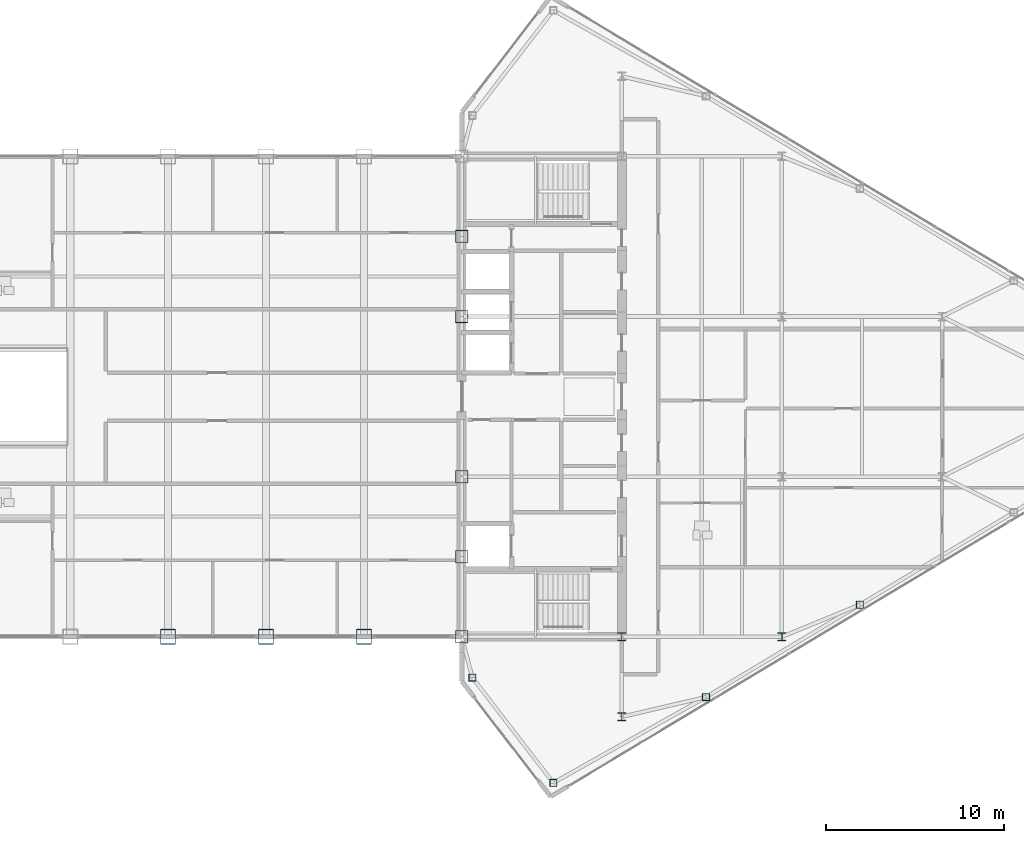
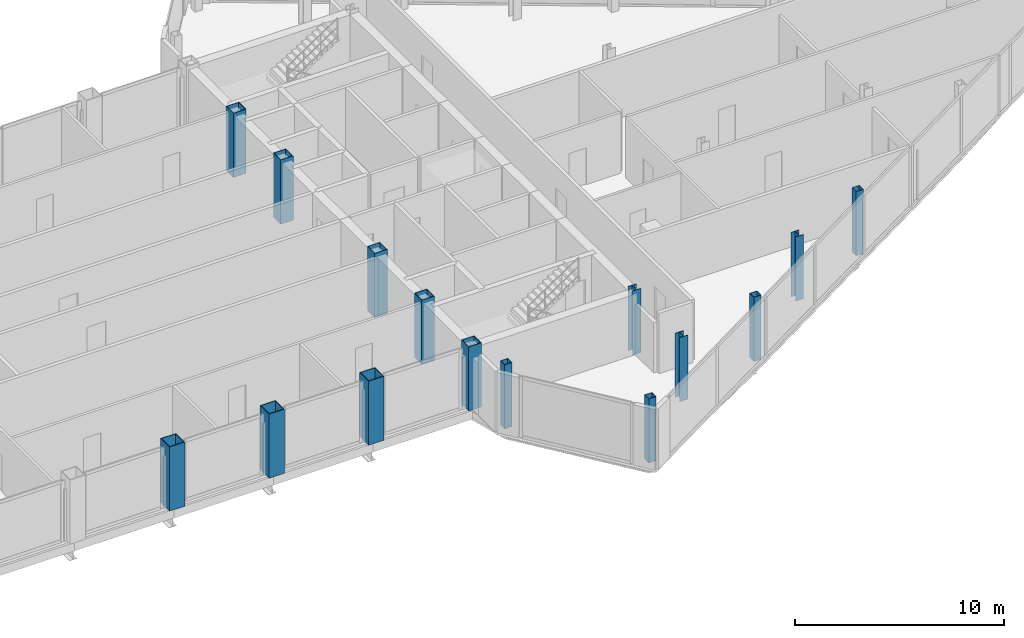
# One storey, part 4 of 29: 15 columns.
"""IFC4 building model written with IfcOpenShell, lengths in metres."""

from ifc_helpers import new_model, si_unit, direction, frame, origin, origin_2d, place, context, subcontext, project, spatial, hollow_rectangle, i_section, extrude, source, transform, mapped, material, material_profile, profile_set, type_object, type_shapes, element, save


model = new_model("IFC4")

# Units and contexts
model_context = context("Model", 3, precision=1e-05, world=origin(), true_north=direction((0.0, 1.0)))
body_context = subcontext(model_context, "Body", "Model", "MODEL_VIEW")
ifc_project = project(units=[si_unit("LENGTHUNIT", "METRE"), si_unit("AREAUNIT", "SQUARE_METRE"), si_unit("VOLUMEUNIT", "CUBIC_METRE"), si_unit("PLANEANGLEUNIT", "RADIAN"), si_unit("MASSUNIT", "GRAM", prefix="KILO")], contexts=[model_context])

# Site, building, storey
site_placement = place(None, origin())
site = spatial("IfcSite", under=ifc_project, at=site_placement, CompositionType="ELEMENT")
building_placement = place(site_placement, origin())
building = spatial("IfcBuilding", under=site, at=building_placement, Name="Seokmaru Belvedere", CompositionType="ELEMENT")
storey_placement = place(building_placement, frame((0.0, 0.0, 258.14990234375)))
storey = spatial("IfcBuildingStorey", under=building, at=storey_placement, Name="L68", CompositionType="ELEMENT", Elevation=258.14990234375)

# Columns
ifc_material_1 = material(Name="Steel SM355 (355 MPa)", Category="steel")
ifc_material_profile_1 = material_profile(ifc_material_1, hollow_rectangle(XDim=0.699951171875, YDim=0.699951171875, WallThickness=0.030029296875, at=origin_2d()), Name="BOX-700x700x30")
ifc_profile_set_1 = profile_set([ifc_material_profile_1], Name="Steel SM355 (355 MPa)")
column_type_1 = type_object("IfcColumnType", Name="Upper Spine Column BOX-700", PredefinedType="COLUMN", material=ifc_profile_set_1)
shared_shape_1 = source(origin(), body_context, "Body", "SweptSolid", [
    extrude(hollow_rectangle(XDim=0.699951171875, YDim=0.699951171875, WallThickness=0.030029296875, at=origin_2d()), origin(), (0.0, 0.0, 1.0), 3.75),
])
type_shapes(column_type_1, [shared_shape_1])
for number, where, z_axis, x_axis, name in (
    (1, (27.5, -13.5, 0.0), (0.0, 0.0, 1.0), (1.0, 0.0, 0.0), "L68 Column ES1"),
    (2, (27.5, -9.0, 0.0), (0.0, 0.0, 1.0), (1.0, 0.0, 0.0), "L68 Column ES2"),
    (3, (27.5, -4.5, 0.0), (0.0, 0.0, 1.0), (1.0, 0.0, 0.0), "L68 Column ES3"),
    (4, (27.5, 4.5, 0.0), (0.0, 0.0, 1.0), (1.0, 0.0, 0.0), "L68 Column ES4"),
    (5, (27.5, 9.0, 0.0), (0.0, 0.0, 1.0), (1.0, 0.0, 0.0), "L68 Column ES5"),
):
    element("IfcColumn", number, at=place(storey_placement, frame(where, z_axis=z_axis, x_axis=x_axis)), inside=storey, type_object=column_type_1, Name=name, PredefinedType="COLUMN", context=body_context, shape_type="MappedRepresentation", body=[
        mapped(shared_shape_1, transform((0.0, 0.0, 0.0), scale=1.0)),
    ])
ifc_material_profile_2 = material_profile(ifc_material_1, i_section(OverallWidth=0.449951171875, OverallDepth=0.449951171875, WebThickness=0.01611328125, FlangeThickness=0.02490234375, at=origin_2d()), Name="H-450x450x16x25")
ifc_profile_set_2 = profile_set([ifc_material_profile_2], Name="Steel SM355 (355 MPa)")
column_type_2 = type_object("IfcColumnType", Name="Sky-Gate Column H-450", PredefinedType="COLUMN", material=ifc_profile_set_2)
shared_shape_2 = source(origin(), body_context, "Body", "SweptSolid", [
    extrude(i_section(OverallWidth=0.449951171875, OverallDepth=0.449951171875, WebThickness=0.01611328125, FlangeThickness=0.02490234375, at=origin_2d()), origin(), (0.0, 0.0, 1.0), 3.75),
])
type_shapes(column_type_2, [shared_shape_2])
for number, where, z_axis, x_axis, name in (
    (6, (36.5, -18.0, 0.0), (0.0, 0.0, 1.0), (1.0, 0.0, 0.0), "L68 Column EC1"),
    (7, (36.5, -13.5, 0.0), (0.0, 0.0, 1.0), (1.0, 0.0, 0.0), "L68 Column EC2"),
    (8, (45.5, -13.5, 0.0), (0.0, 0.0, 1.0), (1.0, 0.0, 0.0), "L68 Column EG5_1"),
):
    element("IfcColumn", number, at=place(storey_placement, frame(where, z_axis=z_axis, x_axis=x_axis)), inside=storey, type_object=column_type_2, Name=name, PredefinedType="COLUMN", context=body_context, shape_type="MappedRepresentation", body=[
        mapped(shared_shape_2, transform((0.0, 0.0, 0.0), scale=1.0)),
    ])
ifc_material_profile_3 = material_profile(ifc_material_1, hollow_rectangle(XDim=0.39990234375, YDim=0.39990234375, WallThickness=0.01611328125, at=origin_2d()), Name="HSS-400x400x16")
ifc_profile_set_3 = profile_set([ifc_material_profile_3], Name="Steel SM355 (355 MPa)")
column_type_3 = type_object("IfcColumnType", Name="Perimeter Facet Column HSS-400", PredefinedType="COLUMN", material=ifc_profile_set_3)
shared_shape_3 = source(origin(), body_context, "Body", "SweptSolid", [
    extrude(hollow_rectangle(XDim=0.39990234375, YDim=0.39990234375, WallThickness=0.01611328125, at=origin_2d()), origin(), (0.0, 0.0, 1.0), 3.75),
])
type_shapes(column_type_3, [shared_shape_3])
for number, where, z_axis, x_axis, name in (
    (9, (32.649658203125, -21.71044921875, 0.0), (0.0, 0.0, 1.0), (1.0, 0.0, 0.0), "L68 Column EF1"),
    (10, (28.10009765625, -15.7958984375, 0.0), (0.0, 0.0, 1.0), (1.0, 0.0, 0.0), "L68 Column EF6"),
    (11, (41.229736328125, -16.888916015625, 0.0), (0.0, 0.0, 1.0), (1.0, 0.0, 0.0), "L68 Column EFLK_S1"),
    (12, (49.8798828125, -11.698974609375, 0.0), (0.0, 0.0, 1.0), (1.0, 0.0, 0.0), "L68 Column EFLK_S2"),
):
    element("IfcColumn", number, at=place(storey_placement, frame(where, z_axis=z_axis, x_axis=x_axis)), inside=storey, type_object=column_type_3, Name=name, PredefinedType="COLUMN", context=body_context, shape_type="MappedRepresentation", body=[
        mapped(shared_shape_3, transform((0.0, 0.0, 0.0), scale=1.0)),
    ])
ifc_material_2 = material(Name="Steel HSA650 (650 MPa)", Category="steel")
ifc_material_profile_4 = material_profile(ifc_material_2, hollow_rectangle(XDim=0.85009765625, YDim=0.85009765625, WallThickness=0.035888671875, at=origin_2d()), Name="BOX-850x850x36")
ifc_profile_set_4 = profile_set([ifc_material_profile_4], Name="Steel HSA650 (650 MPa)")
column_type_4 = type_object("IfcColumnType", Name="Portal Spine Column BOX-850", PredefinedType="COLUMN", material=ifc_profile_set_4)
shared_shape_4 = source(origin(), body_context, "Body", "SweptSolid", [
    extrude(hollow_rectangle(XDim=0.85009765625, YDim=0.85009765625, WallThickness=0.035888671875, at=origin_2d()), origin(), (0.0, 0.0, 1.0), 3.75),
])
type_shapes(column_type_4, [shared_shape_4])
for number, where, z_axis, x_axis, name in (
    (13, (11.0, -13.5, 0.0), (0.0, 0.0, 1.0), (1.0, 0.0, 0.0), "L68 Column BRS_7"),
    (14, (16.5, -13.5, 0.0), (0.0, 0.0, 1.0), (1.0, 0.0, 0.0), "L68 Column BRS_8"),
    (15, (22.0, -13.5, 0.0), (0.0, 0.0, 1.0), (1.0, 0.0, 0.0), "L68 Column BRS_9"),
):
    element("IfcColumn", number, at=place(storey_placement, frame(where, z_axis=z_axis, x_axis=x_axis)), inside=storey, type_object=column_type_4, Name=name, PredefinedType="COLUMN", context=body_context, shape_type="MappedRepresentation", body=[
        mapped(shared_shape_4, transform((0.0, 0.0, 0.0), scale=1.0)),
    ])

save(model, "model.ifc")
